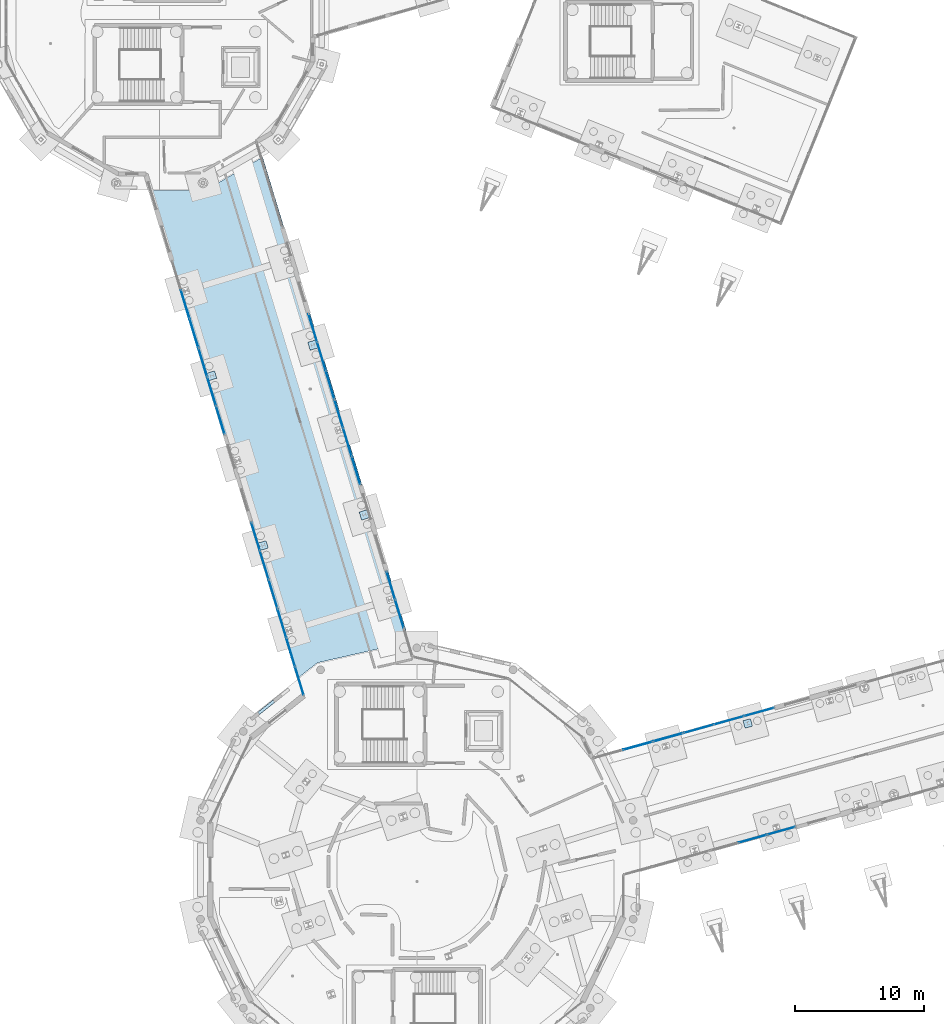
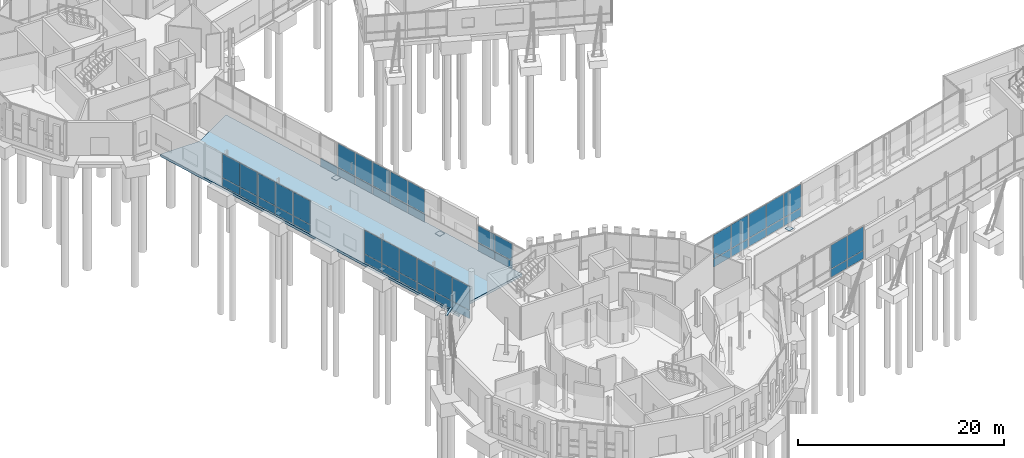
# One storey, part 64 of 113: 57 plates, 1 slab, 10 elements without a shape of their own.
"""IFC4 building model written with IfcOpenShell, lengths in metres."""

from ifc_helpers import new_model, si_unit, direction, frame, origin, origin_2d, place, context, subcontext, project, spatial, polyline, rectangle, outline, extrude, material, layer, layer_set, type_object, element, aggregate, save


model = new_model("IFC4")

# Units and contexts
model_context = context("Model", 3, precision=1e-05, world=origin(), true_north=direction((0.0, 1.0)))
body_context = subcontext(model_context, "Body", "Model", "MODEL_VIEW")
ifc_project = project(units=[si_unit("LENGTHUNIT", "METRE"), si_unit("AREAUNIT", "SQUARE_METRE"), si_unit("VOLUMEUNIT", "CUBIC_METRE"), si_unit("PLANEANGLEUNIT", "RADIAN"), si_unit("MASSUNIT", "GRAM", prefix="KILO")], contexts=[model_context])

# Site, building, storey
site_placement = place(None, origin())
site = spatial("IfcSite", under=ifc_project, at=site_placement, CompositionType="ELEMENT")
building_placement = place(site_placement, origin())
building = spatial("IfcBuilding", under=site, at=building_placement, Name="Wrenclough Park School", CompositionType="ELEMENT")
storey_placement = place(building_placement, origin())
storey = spatial("IfcBuildingStorey", under=building, at=storey_placement, Name="L00", CompositionType="ELEMENT", Elevation=0.0)

# Curtain wall, plates
ifc_material_1 = material(Name="Thermally broken aluminium and low-e glass curtain wall", Category="aluminium")
curtain_wall_type_1 = type_object("IfcCurtainWallType", Name="ENV-CW-05", PredefinedType="USERDEFINED", material=ifc_material_1)
curtain_wall_1_placement = place(storey_placement, origin())
curtain_wall_1 = element("IfcCurtainWall", 1, at=curtain_wall_1_placement, inside=storey, type_object=curtain_wall_type_1, Name="L00 recessed curtain wall assembly 004", ObjectType="CURTAIN WALL", PredefinedType="USERDEFINED")
ifc_material_2 = material(Name="Double-glazed solar-control low-e glass", Category="glass")
ifc_layer_1 = layer(ifc_material_2, 0.02587890625)
ifc_layer_set_1 = layer_set([ifc_layer_1], Name="Double-glazed solar-control low-e glass")
plate_type_1 = type_object("IfcPlateType", Name="ENV-CWP-GL26", PredefinedType="CURTAIN_PANEL", material=ifc_layer_set_1)
plate_1_placement = place(storey_placement, frame((25.320556640625, 44.9443359375, 0.06494140625), z_axis=(0.0, 0.0, 1.0), x_axis=(-0.290001100386, 0.957026311955, 0.0)))
plate_1 = element("IfcPlate", 2, at=plate_1_placement, type_object=plate_type_1, Name="CW-05 panel 1.1", PredefinedType="CURTAIN_PANEL", context=body_context, shape_type="SweptSolid", body=[
    extrude(rectangle(XDim=2.25390625, YDim=0.02587890625, at=origin_2d()), origin(), (0.0, 0.0, 1.0), 0.952392578125),
])
plate_2_placement = place(storey_placement, frame((25.320556640625, 44.9443359375, 1.08251953125), z_axis=(0.0, 0.0, 1.0), x_axis=(-0.290001100386, 0.957026311955, 0.0)))
plate_2 = element("IfcPlate", 3, at=plate_2_placement, type_object=plate_type_1, Name="CW-05 panel 1.2", PredefinedType="CURTAIN_PANEL", context=body_context, shape_type="SweptSolid", body=[
    extrude(rectangle(XDim=2.25390625, YDim=0.02587890625, at=origin_2d()), origin(), (0.0, 0.0, 1.0), 2.79248046875),
])
plate_3_placement = place(storey_placement, frame((24.643310546875, 47.17919921875, 0.06494140625), z_axis=(0.0, 0.0, 1.0), x_axis=(-0.290001100386, 0.957026311955, 0.0)))
plate_3 = element("IfcPlate", 4, at=plate_3_placement, type_object=plate_type_1, Name="CW-05 panel 2.1", PredefinedType="CURTAIN_PANEL", context=body_context, shape_type="SweptSolid", body=[
    extrude(rectangle(XDim=2.286376953125, YDim=0.02587890625, at=origin_2d()), origin(), (0.0, 0.0, 1.0), 0.952392578125),
])
plate_4_placement = place(storey_placement, frame((24.643310546875, 47.17919921875, 1.08251953125), z_axis=(0.0, 0.0, 1.0), x_axis=(-0.290001100386, 0.957026311955, 0.0)))
plate_4 = element("IfcPlate", 5, at=plate_4_placement, type_object=plate_type_1, Name="CW-05 panel 2.2", PredefinedType="CURTAIN_PANEL", context=body_context, shape_type="SweptSolid", body=[
    extrude(rectangle(XDim=2.286376953125, YDim=0.02587890625, at=origin_2d()), origin(), (0.0, 0.0, 1.0), 2.79248046875),
])
plate_5_placement = place(storey_placement, frame((23.966064453125, 49.4140625, 0.06494140625), z_axis=(0.0, 0.0, 1.0), x_axis=(-0.290001100386, 0.957026311955, 0.0)))
plate_5 = element("IfcPlate", 6, at=plate_5_placement, type_object=plate_type_1, Name="CW-05 panel 3.1", PredefinedType="CURTAIN_PANEL", context=body_context, shape_type="SweptSolid", body=[
    extrude(rectangle(XDim=2.25390625, YDim=0.02587890625, at=origin_2d()), origin(), (0.0, 0.0, 1.0), 0.952392578125),
])
plate_6_placement = place(storey_placement, frame((23.966064453125, 49.4140625, 1.08251953125), z_axis=(0.0, 0.0, 1.0), x_axis=(-0.290001100386, 0.957026311955, 0.0)))
plate_6 = element("IfcPlate", 7, at=plate_6_placement, type_object=plate_type_1, Name="CW-05 panel 3.2", PredefinedType="CURTAIN_PANEL", context=body_context, shape_type="SweptSolid", body=[
    extrude(rectangle(XDim=2.25390625, YDim=0.02587890625, at=origin_2d()), origin(), (0.0, 0.0, 1.0), 2.79248046875),
])
aggregate(curtain_wall_1, [plate_1, plate_2, plate_3, plate_4, plate_5, plate_6])

curtain_wall_type_2 = type_object("IfcCurtainWallType", Name="ENV-CW-01", PredefinedType="USERDEFINED", material=ifc_material_1)
curtain_wall_2_placement = place(storey_placement, origin())
curtain_wall_2 = element("IfcCurtainWall", 8, at=curtain_wall_2_placement, inside=storey, type_object=curtain_wall_type_2, Name="L00 recessed curtain wall assembly 048", ObjectType="CURTAIN WALL", PredefinedType="USERDEFINED")
plate_7_placement = place(storey_placement, frame((58.423828125, 34.458251953125, 0.06005859375), z_axis=(0.0, 0.0, 1.0), x_axis=(0.963396230426, 0.268081523423, 0.0)))
plate_7 = element("IfcPlate", 9, at=plate_7_placement, type_object=plate_type_1, Name="CW-01 panel 1.1", PredefinedType="CURTAIN_PANEL", context=body_context, shape_type="SweptSolid", body=[
    extrude(rectangle(XDim=2.353271484375, YDim=0.02587890625, at=origin_2d()), origin(), (0.0, 0.0, 1.0), 0.9599609375),
])
plate_8_placement = place(storey_placement, frame((58.423828125, 34.458251953125, 1.080078125), z_axis=(0.0, 0.0, 1.0), x_axis=(0.963396230426, 0.268081523423, 0.0)))
plate_8 = element("IfcPlate", 10, at=plate_8_placement, type_object=plate_type_1, Name="CW-01 panel 1.2", PredefinedType="CURTAIN_PANEL", context=body_context, shape_type="SweptSolid", body=[
    extrude(rectangle(XDim=2.353271484375, YDim=0.02587890625, at=origin_2d()), origin(), (0.0, 0.0, 1.0), 2.800048828125),
])
plate_9_placement = place(storey_placement, frame((60.76318359375, 35.109130859375, 0.06005859375), z_axis=(0.0, 0.0, 1.0), x_axis=(0.963396230426, 0.268081523423, 0.0)))
plate_9 = element("IfcPlate", 11, at=plate_9_placement, type_object=plate_type_1, Name="CW-01 panel 2.1", PredefinedType="CURTAIN_PANEL", context=body_context, shape_type="SweptSolid", body=[
    extrude(rectangle(XDim=2.383056640625, YDim=0.02587890625, at=origin_2d()), origin(), (0.0, 0.0, 1.0), 0.9599609375),
])
plate_10_placement = place(storey_placement, frame((60.76318359375, 35.109130859375, 1.080078125), z_axis=(0.0, 0.0, 1.0), x_axis=(0.963396230426, 0.268081523423, 0.0)))
plate_10 = element("IfcPlate", 12, at=plate_10_placement, type_object=plate_type_1, Name="CW-01 panel 2.2", PredefinedType="CURTAIN_PANEL", context=body_context, shape_type="SweptSolid", body=[
    extrude(rectangle(XDim=2.383056640625, YDim=0.02587890625, at=origin_2d()), origin(), (0.0, 0.0, 1.0), 2.800048828125),
])
plate_11_placement = place(storey_placement, frame((63.102294921875, 35.76025390625, 0.06005859375), z_axis=(0.0, 0.0, 1.0), x_axis=(0.963396230426, 0.268081523423, 0.0)))
plate_11 = element("IfcPlate", 13, at=plate_11_placement, type_object=plate_type_1, Name="CW-01 panel 3.1", PredefinedType="CURTAIN_PANEL", context=body_context, shape_type="SweptSolid", body=[
    extrude(rectangle(XDim=2.353271484375, YDim=0.02587890625, at=origin_2d()), origin(), (0.0, 0.0, 1.0), 0.9599609375),
])
plate_12_placement = place(storey_placement, frame((63.102294921875, 35.76025390625, 1.080078125), z_axis=(0.0, 0.0, 1.0), x_axis=(0.963396230426, 0.268081523423, 0.0)))
plate_12 = element("IfcPlate", 14, at=plate_12_placement, type_object=plate_type_1, Name="CW-01 panel 3.2", PredefinedType="CURTAIN_PANEL", context=body_context, shape_type="SweptSolid", body=[
    extrude(rectangle(XDim=2.353271484375, YDim=0.02587890625, at=origin_2d()), origin(), (0.0, 0.0, 1.0), 2.800048828125),
])
aggregate(curtain_wall_2, [plate_7, plate_8, plate_9, plate_10, plate_11, plate_12])

curtain_wall_type_3 = type_object("IfcCurtainWallType", Name="ENV-CW-10", PredefinedType="USERDEFINED", material=ifc_material_1)
curtain_wall_3_placement = place(storey_placement, origin())
curtain_wall_3 = element("IfcCurtainWall", 15, at=curtain_wall_3_placement, inside=storey, type_object=curtain_wall_type_3, Name="L00 recessed curtain wall assembly 041", ObjectType="CURTAIN WALL", PredefinedType="USERDEFINED")
ifc_material_3 = material(Name="Double-glazed acoustic low-e glass", Category="glass")
ifc_layer_2 = layer(ifc_material_3, 0.030029296875)
ifc_layer_set_2 = layer_set([ifc_layer_2], Name="Double-glazed acoustic low-e glass")
plate_type_2 = type_object("IfcPlateType", Name="ENV-CWP-GL30", PredefinedType="CURTAIN_PANEL", material=ifc_layer_set_2)
plate_13_placement = place(storey_placement, frame((64.819580078125, 26.5224609375, 0.06982421875), z_axis=(0.0, 0.0, 1.0), x_axis=(-0.963399766486, -0.268068815671, 0.0)))
plate_13 = element("IfcPlate", 16, at=plate_13_placement, type_object=plate_type_2, Name="CW-10 panel 1.1", PredefinedType="CURTAIN_PANEL", context=body_context, shape_type="SweptSolid", body=[
    extrude(rectangle(XDim=2.208984375, YDim=0.030029296875, at=origin_2d()), origin(), (0.0, 0.0, 1.0), 0.945068359375),
])
plate_14_placement = place(storey_placement, frame((64.819580078125, 26.5224609375, 1.0849609375), z_axis=(0.0, 0.0, 1.0), x_axis=(-0.963399766486, -0.268068815671, 0.0)))
plate_14 = element("IfcPlate", 17, at=plate_14_placement, type_object=plate_type_2, Name="CW-10 panel 1.2", PredefinedType="CURTAIN_PANEL", context=body_context, shape_type="SweptSolid", body=[
    extrude(rectangle(XDim=2.208984375, YDim=0.030029296875, at=origin_2d()), origin(), (0.0, 0.0, 1.0), 2.784912109375),
])
plate_15_placement = place(storey_placement, frame((62.607177734375, 25.90673828125, 0.06982421875), z_axis=(0.0, 0.0, 1.0), x_axis=(-0.963399766486, -0.268068815671, 0.0)))
plate_15 = element("IfcPlate", 18, at=plate_15_placement, type_object=plate_type_2, Name="CW-10 panel 2.1", PredefinedType="CURTAIN_PANEL", context=body_context, shape_type="SweptSolid", body=[
    extrude(rectangle(XDim=2.243896484375, YDim=0.030029296875, at=origin_2d()), origin(), (0.0, 0.0, 1.0), 0.945068359375),
])
plate_16_placement = place(storey_placement, frame((62.607177734375, 25.90673828125, 1.0849609375), z_axis=(0.0, 0.0, 1.0), x_axis=(-0.963399766486, -0.268068815671, 0.0)))
plate_16 = element("IfcPlate", 19, at=plate_16_placement, type_object=plate_type_2, Name="CW-10 panel 2.2", PredefinedType="CURTAIN_PANEL", context=body_context, shape_type="SweptSolid", body=[
    extrude(rectangle(XDim=2.243896484375, YDim=0.030029296875, at=origin_2d()), origin(), (0.0, 0.0, 1.0), 2.784912109375),
])
aggregate(curtain_wall_3, [plate_13, plate_14, plate_15, plate_16])

curtain_wall_type_4 = type_object("IfcCurtainWallType", Name="ENV-CW-02", PredefinedType="USERDEFINED", material=ifc_material_1)
curtain_wall_4_placement = place(storey_placement, origin())
curtain_wall_4 = element("IfcCurtainWall", 20, at=curtain_wall_4_placement, inside=storey, type_object=curtain_wall_type_4, Name="L00 recessed curtain wall assembly 081", ObjectType="CURTAIN WALL", PredefinedType="USERDEFINED")
plate_17_placement = place(storey_placement, frame((28.417236328125, 65.62158203125, 0.06005859375), z_axis=(0.0, 0.0, 1.0), x_axis=(0.289988669528, -0.957030078705, 0.0)))
plate_17 = element("IfcPlate", 21, at=plate_17_placement, type_object=plate_type_2, Name="CW-02 panel 1.1", PredefinedType="CURTAIN_PANEL", context=body_context, shape_type="SweptSolid", body=[
    extrude(rectangle(XDim=2.23193359375, YDim=0.030029296875, at=origin_2d()), origin(), (0.0, 0.0, 1.0), 0.9599609375),
])
plate_18_placement = place(storey_placement, frame((29.086181640625, 63.413818359375, 0.06005859375), z_axis=(0.0, 0.0, 1.0), x_axis=(0.289988669528, -0.957030078705, 0.0)))
plate_18 = element("IfcPlate", 22, at=plate_18_placement, type_object=plate_type_2, Name="CW-02 panel 2.1", PredefinedType="CURTAIN_PANEL", context=body_context, shape_type="SweptSolid", body=[
    extrude(rectangle(XDim=2.261962890625, YDim=0.030029296875, at=origin_2d()), origin(), (0.0, 0.0, 1.0), 0.9599609375),
])
plate_19_placement = place(storey_placement, frame((29.086181640625, 63.413818359375, 1.080078125), z_axis=(0.0, 0.0, 1.0), x_axis=(0.289988669528, -0.957030078705, 0.0)))
plate_19 = element("IfcPlate", 23, at=plate_19_placement, type_object=plate_type_2, Name="CW-02 panel 2.2", PredefinedType="CURTAIN_PANEL", context=body_context, shape_type="SweptSolid", body=[
    extrude(rectangle(XDim=2.261962890625, YDim=0.030029296875, at=origin_2d()), origin(), (0.0, 0.0, 1.0), 2.800048828125),
])
plate_20_placement = place(storey_placement, frame((29.755126953125, 61.205810546875, 0.06005859375), z_axis=(0.0, 0.0, 1.0), x_axis=(0.289988669528, -0.957030078705, 0.0)))
plate_20 = element("IfcPlate", 24, at=plate_20_placement, type_object=plate_type_2, Name="CW-02 panel 3.1", PredefinedType="CURTAIN_PANEL", context=body_context, shape_type="SweptSolid", body=[
    extrude(rectangle(XDim=2.23193359375, YDim=0.030029296875, at=origin_2d()), origin(), (0.0, 0.0, 1.0), 0.9599609375),
])
plate_21_placement = place(storey_placement, frame((29.755126953125, 61.205810546875, 1.080078125), z_axis=(0.0, 0.0, 1.0), x_axis=(0.289988669528, -0.957030078705, 0.0)))
plate_21 = element("IfcPlate", 25, at=plate_21_placement, type_object=plate_type_2, Name="CW-02 panel 3.2", PredefinedType="CURTAIN_PANEL", context=body_context, shape_type="SweptSolid", body=[
    extrude(rectangle(XDim=2.23193359375, YDim=0.030029296875, at=origin_2d()), origin(), (0.0, 0.0, 1.0), 2.800048828125),
])
aggregate(curtain_wall_4, [plate_17, plate_18, plate_19, plate_20, plate_21])

curtain_wall_type_5 = type_object("IfcCurtainWallType", Name="ENV-CW-03", PredefinedType="USERDEFINED", material=ifc_material_1)
curtain_wall_5_placement = place(storey_placement, origin())
curtain_wall_5 = element("IfcCurtainWall", 26, at=curtain_wall_5_placement, inside=storey, type_object=curtain_wall_type_5, Name="L00 recessed curtain wall assembly 082", ObjectType="CURTAIN WALL", PredefinedType="USERDEFINED")
ifc_material_4 = material(Name="Triple-glazed senior-lab low-e glass", Category="glass")
ifc_layer_3 = layer(ifc_material_4, 0.033935546875)
ifc_layer_set_3 = layer_set([ifc_layer_3], Name="Triple-glazed senior-lab low-e glass")
plate_type_3 = type_object("IfcPlateType", Name="ENV-CWP-GL34", PredefinedType="CURTAIN_PANEL", material=ifc_layer_set_3)
plate_22_placement = place(storey_placement, frame((30.43994140625, 58.946044921875, 0.06494140625), z_axis=(0.0, 0.0, 1.0), x_axis=(0.289992653536, -0.957028871506, 0.0)))
plate_22 = element("IfcPlate", 27, at=plate_22_placement, type_object=plate_type_3, Name="CW-03 panel 1.1", PredefinedType="CURTAIN_PANEL", context=body_context, shape_type="SweptSolid", body=[
    extrude(rectangle(XDim=2.224609375, YDim=0.033935546875, at=origin_2d()), origin(), (0.0, 0.0, 1.0), 0.952392578125),
])
plate_23_placement = place(storey_placement, frame((30.43994140625, 58.946044921875, 1.08251953125), z_axis=(0.0, 0.0, 1.0), x_axis=(0.289992653536, -0.957028871506, 0.0)))
plate_23 = element("IfcPlate", 28, at=plate_23_placement, type_object=plate_type_3, Name="CW-03 panel 1.2", PredefinedType="CURTAIN_PANEL", context=body_context, shape_type="SweptSolid", body=[
    extrude(rectangle(XDim=2.224609375, YDim=0.033935546875, at=origin_2d()), origin(), (0.0, 0.0, 1.0), 2.79248046875),
])
plate_24_placement = place(storey_placement, frame((31.108642578125, 56.7392578125, 0.06494140625), z_axis=(0.0, 0.0, 1.0), x_axis=(0.289992653536, -0.957028871506, 0.0)))
plate_24 = element("IfcPlate", 29, at=plate_24_placement, type_object=plate_type_3, Name="CW-03 panel 2.1", PredefinedType="CURTAIN_PANEL", context=body_context, shape_type="SweptSolid", body=[
    extrude(rectangle(XDim=2.257080078125, YDim=0.033935546875, at=origin_2d()), origin(), (0.0, 0.0, 1.0), 0.952392578125),
])
plate_25_placement = place(storey_placement, frame((31.108642578125, 56.7392578125, 1.08251953125), z_axis=(0.0, 0.0, 1.0), x_axis=(0.289992653536, -0.957028871506, 0.0)))
plate_25 = element("IfcPlate", 30, at=plate_25_placement, type_object=plate_type_3, Name="CW-03 panel 2.2", PredefinedType="CURTAIN_PANEL", context=body_context, shape_type="SweptSolid", body=[
    extrude(rectangle(XDim=2.257080078125, YDim=0.033935546875, at=origin_2d()), origin(), (0.0, 0.0, 1.0), 2.79248046875),
])
plate_26_placement = place(storey_placement, frame((31.77734375, 54.53271484375, 0.06494140625), z_axis=(0.0, 0.0, 1.0), x_axis=(0.289992653536, -0.957028871506, 0.0)))
plate_26 = element("IfcPlate", 31, at=plate_26_placement, type_object=plate_type_3, Name="CW-03 panel 3.1", PredefinedType="CURTAIN_PANEL", context=body_context, shape_type="SweptSolid", body=[
    extrude(rectangle(XDim=2.224609375, YDim=0.033935546875, at=origin_2d()), origin(), (0.0, 0.0, 1.0), 0.952392578125),
])
plate_27_placement = place(storey_placement, frame((31.77734375, 54.53271484375, 1.08251953125), z_axis=(0.0, 0.0, 1.0), x_axis=(0.289992653536, -0.957028871506, 0.0)))
plate_27 = element("IfcPlate", 32, at=plate_27_placement, type_object=plate_type_3, Name="CW-03 panel 3.2", PredefinedType="CURTAIN_PANEL", context=body_context, shape_type="SweptSolid", body=[
    extrude(rectangle(XDim=2.224609375, YDim=0.033935546875, at=origin_2d()), origin(), (0.0, 0.0, 1.0), 2.79248046875),
])
aggregate(curtain_wall_5, [plate_22, plate_23, plate_24, plate_25, plate_26, plate_27])

curtain_wall_type_6 = type_object("IfcCurtainWallType", Name="ENV-CW-04", PredefinedType="USERDEFINED", material=ifc_material_1)
curtain_wall_6_placement = place(storey_placement, origin())
curtain_wall_6 = element("IfcCurtainWall", 33, at=curtain_wall_6_placement, inside=storey, type_object=curtain_wall_type_6, Name="L00 recessed curtain wall assembly 003", ObjectType="CURTAIN WALL", PredefinedType="USERDEFINED")
ifc_material_5 = material(Name="Laminated sports-concourse safety glass", Category="glass")
ifc_layer_4 = layer(ifc_material_5, 0.0380859375)
ifc_layer_set_4 = layer_set([ifc_layer_4], Name="Laminated sports-concourse safety glass")
plate_type_4 = type_object("IfcPlateType", Name="ENV-CWP-GL38", PredefinedType="CURTAIN_PANEL", material=ifc_layer_set_4)
plate_28_placement = place(storey_placement, frame((27.368896484375, 38.184326171875, 0.06005859375), z_axis=(0.0, 0.0, 1.0), x_axis=(-0.289988117032, 0.957030246116, 0.0)))
plate_28 = element("IfcPlate", 34, at=plate_28_placement, type_object=plate_type_4, Name="CW-04 panel 1.1", PredefinedType="CURTAIN_PANEL", context=body_context, shape_type="SweptSolid", body=[
    extrude(rectangle(XDim=2.261474609375, YDim=0.0380859375, at=origin_2d()), origin(), (0.0, 0.0, 1.0), 0.9599609375),
])
plate_29_placement = place(storey_placement, frame((27.368896484375, 38.184326171875, 1.080078125), z_axis=(0.0, 0.0, 1.0), x_axis=(-0.289988117032, 0.957030246116, 0.0)))
plate_29 = element("IfcPlate", 35, at=plate_29_placement, type_object=plate_type_4, Name="CW-04 panel 1.2", PredefinedType="CURTAIN_PANEL", context=body_context, shape_type="SweptSolid", body=[
    extrude(rectangle(XDim=2.261474609375, YDim=0.0380859375, at=origin_2d()), origin(), (0.0, 0.0, 1.0), 2.800048828125),
])
plate_30_placement = place(storey_placement, frame((26.69140625, 40.42041015625, 0.06005859375), z_axis=(0.0, 0.0, 1.0), x_axis=(-0.289988117032, 0.957030246116, 0.0)))
plate_30 = element("IfcPlate", 36, at=plate_30_placement, type_object=plate_type_4, Name="CW-04 panel 2.1", PredefinedType="CURTAIN_PANEL", context=body_context, shape_type="SweptSolid", body=[
    extrude(rectangle(XDim=2.29150390625, YDim=0.0380859375, at=origin_2d()), origin(), (0.0, 0.0, 1.0), 0.9599609375),
])
plate_31_placement = place(storey_placement, frame((26.69140625, 40.42041015625, 1.080078125), z_axis=(0.0, 0.0, 1.0), x_axis=(-0.289988117032, 0.957030246116, 0.0)))
plate_31 = element("IfcPlate", 37, at=plate_31_placement, type_object=plate_type_4, Name="CW-04 panel 2.2", PredefinedType="CURTAIN_PANEL", context=body_context, shape_type="SweptSolid", body=[
    extrude(rectangle(XDim=2.29150390625, YDim=0.0380859375, at=origin_2d()), origin(), (0.0, 0.0, 1.0), 2.800048828125),
])
plate_32_placement = place(storey_placement, frame((26.013916015625, 42.656494140625, 0.06005859375), z_axis=(0.0, 0.0, 1.0), x_axis=(-0.289988117032, 0.957030246116, 0.0)))
plate_32 = element("IfcPlate", 38, at=plate_32_placement, type_object=plate_type_4, Name="CW-04 panel 3.1", PredefinedType="CURTAIN_PANEL", context=body_context, shape_type="SweptSolid", body=[
    extrude(rectangle(XDim=2.261474609375, YDim=0.0380859375, at=origin_2d()), origin(), (0.0, 0.0, 1.0), 0.9599609375),
])
plate_33_placement = place(storey_placement, frame((26.013916015625, 42.656494140625, 1.080078125), z_axis=(0.0, 0.0, 1.0), x_axis=(-0.289988117032, 0.957030246116, 0.0)))
plate_33 = element("IfcPlate", 39, at=plate_33_placement, type_object=plate_type_4, Name="CW-04 panel 3.2", PredefinedType="CURTAIN_PANEL", context=body_context, shape_type="SweptSolid", body=[
    extrude(rectangle(XDim=2.261474609375, YDim=0.0380859375, at=origin_2d()), origin(), (0.0, 0.0, 1.0), 2.800048828125),
])
aggregate(curtain_wall_6, [plate_28, plate_29, plate_30, plate_31, plate_32, plate_33])

curtain_wall_7_placement = place(storey_placement, origin())
curtain_wall_7 = element("IfcCurtainWall", 40, at=curtain_wall_7_placement, inside=storey, type_object=curtain_wall_type_6, Name="L00 recessed curtain wall assembly 083", ObjectType="CURTAIN WALL", PredefinedType="USERDEFINED")
plate_34_placement = place(storey_placement, frame((34.4853515625, 45.59619140625, 0.06982421875), z_axis=(0.0, 0.0, 1.0), x_axis=(0.289988669528, -0.957030078705, 0.0)))
plate_34 = element("IfcPlate", 41, at=plate_34_placement, type_object=plate_type_4, Name="CW-04 panel 1.1", PredefinedType="CURTAIN_PANEL", context=body_context, shape_type="SweptSolid", body=[
    extrude(rectangle(XDim=2.217041015625, YDim=0.0380859375, at=origin_2d()), origin(), (0.0, 0.0, 1.0), 0.945068359375),
])
plate_35_placement = place(storey_placement, frame((34.4853515625, 45.59619140625, 1.0849609375), z_axis=(0.0, 0.0, 1.0), x_axis=(0.289988669528, -0.957030078705, 0.0)))
plate_35 = element("IfcPlate", 42, at=plate_35_placement, type_object=plate_type_4, Name="CW-04 panel 1.2", PredefinedType="CURTAIN_PANEL", context=body_context, shape_type="SweptSolid", body=[
    extrude(rectangle(XDim=2.217041015625, YDim=0.0380859375, at=origin_2d()), origin(), (0.0, 0.0, 1.0), 1.97705078125),
])
plate_36_placement = place(storey_placement, frame((35.15380859375, 43.390625, 0.06982421875), z_axis=(0.0, 0.0, 1.0), x_axis=(0.289988669528, -0.957030078705, 0.0)))
plate_36 = element("IfcPlate", 43, at=plate_36_placement, type_object=plate_type_4, Name="CW-04 panel 2.1", PredefinedType="CURTAIN_PANEL", context=body_context, shape_type="SweptSolid", body=[
    extrude(rectangle(XDim=2.251953125, YDim=0.0380859375, at=origin_2d()), origin(), (0.0, 0.0, 1.0), 0.945068359375),
])
plate_37_placement = place(storey_placement, frame((35.15380859375, 43.390625, 1.0849609375), z_axis=(0.0, 0.0, 1.0), x_axis=(0.289988669528, -0.957030078705, 0.0)))
plate_37 = element("IfcPlate", 44, at=plate_37_placement, type_object=plate_type_4, Name="CW-04 panel 2.2", PredefinedType="CURTAIN_PANEL", context=body_context, shape_type="SweptSolid", body=[
    extrude(rectangle(XDim=2.251953125, YDim=0.0380859375, at=origin_2d()), origin(), (0.0, 0.0, 1.0), 1.97705078125),
])
aggregate(curtain_wall_7, [plate_34, plate_35, plate_36, plate_37])

curtain_wall_type_7 = type_object("IfcCurtainWallType", Name="ENV-CW-06", PredefinedType="USERDEFINED", material=ifc_material_1)
curtain_wall_8_placement = place(storey_placement, origin())
curtain_wall_8 = element("IfcCurtainWall", 45, at=curtain_wall_8_placement, inside=storey, type_object=curtain_wall_type_7, Name="L00 recessed curtain wall assembly 005", ObjectType="CURTAIN WALL", PredefinedType="USERDEFINED")
ifc_material_6 = material(Name="Insulated anodised aluminium spandrel panel", Category="aluminium")
ifc_layer_5 = layer(ifc_material_6, 0.0419921875)
ifc_layer_set_5 = layer_set([ifc_layer_5], Name="Insulated anodised aluminium spandrel panel")
plate_type_5 = type_object("IfcPlateType", Name="ENV-CWP-SP42", PredefinedType="CURTAIN_PANEL", material=ifc_layer_set_5)
plate_38_placement = place(storey_placement, frame((21.223876953125, 58.46337890625, 0.06982421875), z_axis=(0.0, 0.0, 1.0), x_axis=(-0.289988117032, 0.957030246116, 0.0)))
plate_38 = element("IfcPlate", 46, at=plate_38_placement, type_object=plate_type_5, Name="CW-06 panel 1.1", PredefinedType="CURTAIN_PANEL", context=body_context, shape_type="SweptSolid", body=[
    extrude(rectangle(XDim=2.24658203125, YDim=0.0419921875, at=origin_2d()), origin(), (0.0, 0.0, 1.0), 0.945068359375),
])
plate_39_placement = place(storey_placement, frame((21.223876953125, 58.46337890625, 1.0849609375), z_axis=(0.0, 0.0, 1.0), x_axis=(-0.289988117032, 0.957030246116, 0.0)))
plate_39 = element("IfcPlate", 47, at=plate_39_placement, type_object=plate_type_5, Name="CW-06 panel 1.2", PredefinedType="CURTAIN_PANEL", context=body_context, shape_type="SweptSolid", body=[
    extrude(rectangle(XDim=2.24658203125, YDim=0.0419921875, at=origin_2d()), origin(), (0.0, 0.0, 1.0), 2.784912109375),
])
plate_40_placement = place(storey_placement, frame((20.547119140625, 60.697021484375, 0.06982421875), z_axis=(0.0, 0.0, 1.0), x_axis=(-0.289988117032, 0.957030246116, 0.0)))
plate_40 = element("IfcPlate", 48, at=plate_40_placement, type_object=plate_type_5, Name="CW-06 panel 2.1", PredefinedType="CURTAIN_PANEL", context=body_context, shape_type="SweptSolid", body=[
    extrude(rectangle(XDim=2.281494140625, YDim=0.0419921875, at=origin_2d()), origin(), (0.0, 0.0, 1.0), 0.945068359375),
])
plate_41_placement = place(storey_placement, frame((20.547119140625, 60.697021484375, 1.0849609375), z_axis=(0.0, 0.0, 1.0), x_axis=(-0.289988117032, 0.957030246116, 0.0)))
plate_41 = element("IfcPlate", 49, at=plate_41_placement, type_object=plate_type_5, Name="CW-06 panel 2.2", PredefinedType="CURTAIN_PANEL", context=body_context, shape_type="SweptSolid", body=[
    extrude(rectangle(XDim=2.281494140625, YDim=0.0419921875, at=origin_2d()), origin(), (0.0, 0.0, 1.0), 2.784912109375),
])
plate_42_placement = place(storey_placement, frame((19.8701171875, 62.9306640625, 0.06982421875), z_axis=(0.0, 0.0, 1.0), x_axis=(-0.289988117032, 0.957030246116, 0.0)))
plate_42 = element("IfcPlate", 50, at=plate_42_placement, type_object=plate_type_5, Name="CW-06 panel 3.1", PredefinedType="CURTAIN_PANEL", context=body_context, shape_type="SweptSolid", body=[
    extrude(rectangle(XDim=2.24658203125, YDim=0.0419921875, at=origin_2d()), origin(), (0.0, 0.0, 1.0), 0.945068359375),
])
plate_43_placement = place(storey_placement, frame((19.8701171875, 62.9306640625, 1.0849609375), z_axis=(0.0, 0.0, 1.0), x_axis=(-0.289988117032, 0.957030246116, 0.0)))
plate_43 = element("IfcPlate", 51, at=plate_43_placement, type_object=plate_type_5, Name="CW-06 panel 3.2", PredefinedType="CURTAIN_PANEL", context=body_context, shape_type="SweptSolid", body=[
    extrude(rectangle(XDim=2.24658203125, YDim=0.0419921875, at=origin_2d()), origin(), (0.0, 0.0, 1.0), 2.784912109375),
])
aggregate(curtain_wall_8, [plate_38, plate_39, plate_40, plate_41, plate_42, plate_43])

curtain_wall_type_8 = type_object("IfcCurtainWallType", Name="ENV-CW-07", PredefinedType="USERDEFINED", material=ifc_material_1)
curtain_wall_9_placement = place(storey_placement, origin())
curtain_wall_9 = element("IfcCurtainWall", 52, at=curtain_wall_9_placement, inside=storey, type_object=curtain_wall_type_8, Name="L00 recessed curtain wall assembly 006", ObjectType="CURTAIN WALL", PredefinedType="USERDEFINED")
ifc_material_7 = material(Name="Insulated patinated copper-toned spandrel panel", Category="aluminium")
ifc_layer_6 = layer(ifc_material_7, 0.048095703125)
ifc_layer_set_6 = layer_set([ifc_layer_6], Name="Insulated patinated copper-toned spandrel panel")
plate_type_6 = type_object("IfcPlateType", Name="ENV-CWP-SP48", PredefinedType="CURTAIN_PANEL", material=ifc_layer_set_6)
plate_44_placement = place(storey_placement, frame((19.176513671875, 65.2197265625, 0.06005859375), z_axis=(0.0, 0.0, 1.0), x_axis=(-0.290001100386, 0.957026311955, 0.0)))
plate_44 = element("IfcPlate", 53, at=plate_44_placement, type_object=plate_type_6, Name="CW-07 panel 1.1", PredefinedType="CURTAIN_PANEL", context=body_context, shape_type="SweptSolid", body=[
    extrude(rectangle(XDim=2.261474609375, YDim=0.048095703125, at=origin_2d()), origin(), (0.0, 0.0, 1.0), 0.9599609375),
])
plate_45_placement = place(storey_placement, frame((19.176513671875, 65.2197265625, 1.080078125), z_axis=(0.0, 0.0, 1.0), x_axis=(-0.290001100386, 0.957026311955, 0.0)))
plate_45 = element("IfcPlate", 54, at=plate_45_placement, type_object=plate_type_6, Name="CW-07 panel 1.2", PredefinedType="CURTAIN_PANEL", context=body_context, shape_type="SweptSolid", body=[
    extrude(rectangle(XDim=2.261474609375, YDim=0.048095703125, at=origin_2d()), origin(), (0.0, 0.0, 1.0), 2.800048828125),
])
plate_46_placement = place(storey_placement, frame((18.498779296875, 67.455810546875, 0.06005859375), z_axis=(0.0, 0.0, 1.0), x_axis=(-0.290001100386, 0.957026311955, 0.0)))
plate_46 = element("IfcPlate", 55, at=plate_46_placement, type_object=plate_type_6, Name="CW-07 panel 2.1", PredefinedType="CURTAIN_PANEL", context=body_context, shape_type="SweptSolid", body=[
    extrude(rectangle(XDim=2.29150390625, YDim=0.048095703125, at=origin_2d()), origin(), (0.0, 0.0, 1.0), 0.9599609375),
])
plate_47_placement = place(storey_placement, frame((18.498779296875, 67.455810546875, 1.080078125), z_axis=(0.0, 0.0, 1.0), x_axis=(-0.290001100386, 0.957026311955, 0.0)))
plate_47 = element("IfcPlate", 56, at=plate_47_placement, type_object=plate_type_6, Name="CW-07 panel 2.2", PredefinedType="CURTAIN_PANEL", context=body_context, shape_type="SweptSolid", body=[
    extrude(rectangle(XDim=2.29150390625, YDim=0.048095703125, at=origin_2d()), origin(), (0.0, 0.0, 1.0), 2.800048828125),
])
aggregate(curtain_wall_9, [plate_44, plate_45, plate_46, plate_47])

curtain_wall_type_9 = type_object("IfcCurtainWallType", Name="ENV-CW-16", PredefinedType="USERDEFINED", material=ifc_material_1)
curtain_wall_10_placement = place(storey_placement, origin())
curtain_wall_10 = element("IfcCurtainWall", 57, at=curtain_wall_10_placement, inside=storey, type_object=curtain_wall_type_9, Name="L00 recessed curtain wall assembly 047", ObjectType="CURTAIN WALL", PredefinedType="USERDEFINED")
ifc_material_8 = material(Name="Acoustic mineral-wool spandrel cassette", Category="aluminium")
ifc_layer_7 = layer(ifc_material_8, 0.053955078125)
ifc_layer_set_7 = layer_set([ifc_layer_7], Name="Acoustic mineral-wool spandrel cassette")
plate_type_7 = type_object("IfcPlateType", Name="ENV-CWP-SP54", PredefinedType="CURTAIN_PANEL", material=ifc_layer_set_7)
plate_48_placement = place(storey_placement, frame((53.694091796875, 33.14208984375, 0.06982421875), z_axis=(0.0, 0.0, 1.0), x_axis=(0.963398773592, 0.268072383958, 0.0)))
plate_48 = element("IfcPlate", 58, at=plate_48_placement, type_object=plate_type_7, Name="CW-16 panel 2.1", PredefinedType="CURTAIN_PANEL", context=body_context, shape_type="SweptSolid", body=[
    extrude(rectangle(XDim=2.373046875, YDim=0.053955078125, at=origin_2d()), origin(), (0.0, 0.0, 1.0), 0.945068359375),
])
plate_49_placement = place(storey_placement, frame((53.694091796875, 33.14208984375, 1.0849609375), z_axis=(0.0, 0.0, 1.0), x_axis=(0.963398773592, 0.268072383958, 0.0)))
plate_49 = element("IfcPlate", 59, at=plate_49_placement, type_object=plate_type_7, Name="CW-16 panel 2.2", PredefinedType="CURTAIN_PANEL", context=body_context, shape_type="SweptSolid", body=[
    extrude(rectangle(XDim=2.373046875, YDim=0.053955078125, at=origin_2d()), origin(), (0.0, 0.0, 1.0), 2.784912109375),
])
plate_50_placement = place(storey_placement, frame((56.031005859375, 33.79248046875, 0.06982421875), z_axis=(0.0, 0.0, 1.0), x_axis=(0.963398773592, 0.268072383958, 0.0)))
plate_50 = element("IfcPlate", 60, at=plate_50_placement, type_object=plate_type_7, Name="CW-16 panel 3.1", PredefinedType="CURTAIN_PANEL", context=body_context, shape_type="SweptSolid", body=[
    extrude(rectangle(XDim=2.338134765625, YDim=0.053955078125, at=origin_2d()), origin(), (0.0, 0.0, 1.0), 0.945068359375),
])
plate_51_placement = place(storey_placement, frame((56.031005859375, 33.79248046875, 1.0849609375), z_axis=(0.0, 0.0, 1.0), x_axis=(0.963398773592, 0.268072383958, 0.0)))
plate_51 = element("IfcPlate", 61, at=plate_51_placement, type_object=plate_type_7, Name="CW-16 panel 3.2", PredefinedType="CURTAIN_PANEL", context=body_context, shape_type="SweptSolid", body=[
    extrude(rectangle(XDim=2.338134765625, YDim=0.053955078125, at=origin_2d()), origin(), (0.0, 0.0, 1.0), 2.784912109375),
])
aggregate(curtain_wall_10, [plate_48, plate_49, plate_50, plate_51])

# Plates
ifc_material_9 = material(Name="Anodised architectural aluminium solar shading fin plate", Category="aluminium")
ifc_layer_8 = layer(ifc_material_9, 0.0380859375)
ifc_layer_set_8 = layer_set([ifc_layer_8], Name="Anodised architectural aluminium solar shading fin plate")
plate_type_8 = type_object("IfcPlateType", Name="ENV-PL-BSF", PredefinedType="SHEET", material=ifc_layer_set_8)
plate_52_placement = place(storey_placement, frame((24.794921875, 36.131591796875, 2.4951171875), z_axis=(0.0, 0.0, 1.0), x_axis=(-0.781833401174, -0.623487395869, 0.0)))
element("IfcPlate", 62, at=plate_52_placement, inside=storey, type_object=plate_type_8, Name="D2 L00 open-bond brick screen tie band 0047", PredefinedType="SHEET", context=body_context, shape_type="SweptSolid", body=[
    extrude(rectangle(XDim=1.5380859375, YDim=0.219970703125, at=origin_2d()), origin(), (0.0, 0.0, 1.0), 0.0419921875),
])
ifc_material_10 = material(Name="Structural steel S355", Category="steel")
ifc_layer_9 = layer(ifc_material_10, 0.031982421875)
ifc_layer_set_9 = layer_set([ifc_layer_9], Name="Structural steel S355")
plate_type_9 = type_object("IfcPlateType", Name="STR-PL-BP1", PredefinedType="SHEET", material=ifc_layer_set_9)
for number, where, z_axis, x_axis, name in (
    (63, (32.423828125, 51.089111328125, 0.0), (0.0, 0.0, 1.0), (-0.290034140915, 0.957016299288, 0.0), "Steel column baseplate W23-C1-R04"),
    (64, (28.423828125, 64.2890625, 0.0), (0.0, 0.0, 1.0), (-0.290034140915, 0.957016299288, 0.0), "Steel column baseplate W23-C1-R06"),
):
    element("IfcPlate", number, at=place(storey_placement, frame(where, z_axis=z_axis, x_axis=x_axis)), inside=storey, type_object=plate_type_9, Name=name, PredefinedType="SHEET", context=body_context, shape_type="SweptSolid", body=[
        extrude(rectangle(XDim=0.64990234375, YDim=0.64990234375, at=origin_2d()), origin(), (0.0, 0.0, 1.0), 0.031982421875),
    ])
ifc_layer_10 = layer(ifc_material_10, 0.030029296875)
ifc_layer_set_10 = layer_set([ifc_layer_10], Name="Structural steel S355")
plate_type_10 = type_object("IfcPlateType", Name="STR-PL-BP4", PredefinedType="SHEET", material=ifc_layer_set_10)
for number, where, z_axis, x_axis, name in (
    (65, (62.228515625, 34.875, 0.0), (0.0, 0.0, 1.0), (0.964002648928, 0.265892634084, 0.0), "Steel column baseplate EAVE-ENTRANCE-B2"),
    (66, (24.576171875, 48.7109375, 0.0), (0.0, 0.0, 1.0), (-0.290034140915, 0.957016299288, 0.0), "Steel column baseplate W23-C1-L04"),
    (67, (20.576171875, 61.910888671875, 0.0), (0.0, 0.0, 1.0), (-0.290034140915, 0.957016299288, 0.0), "Steel column baseplate W23-C1-L06"),
):
    element("IfcPlate", number, at=place(storey_placement, frame(where, z_axis=z_axis, x_axis=x_axis)), inside=storey, type_object=plate_type_10, Name=name, PredefinedType="SHEET", context=body_context, shape_type="SweptSolid", body=[
        extrude(rectangle(XDim=0.60009765625, YDim=0.60009765625, at=origin_2d()), origin(), (0.0, 0.0, 1.0), 0.030029296875),
    ])

# Slab
ifc_material_11 = material(Name="Concrete C35/45", Category="concrete")
ifc_layer_11 = layer(ifc_material_11, 0.300048828125)
ifc_layer_set_11 = layer_set([ifc_layer_11], Name="Concrete C35/45")
slab_type = type_object("IfcSlabType", Name="STR-SL-BASE300", PredefinedType="BASESLAB", material=ifc_layer_set_11)
slab_placement = place(storey_placement, frame((0.0, 0.0, -0.300048828125)))
element("IfcSlab", 68, at=slab_placement, inside=storey, type_object=slab_type, Name="W23 L00 structural slab SLAB-W23-L00", PredefinedType="BASESLAB", context=body_context, shape_type="SweptSolid", body=[
    extrude(outline(polyline([(35.93603515625, 41.22265625), (24.517822265625, 78.902587890625), (20.035400390625, 76.31591796875), (15.689453125, 76.3134765625), (27.1962890625, 38.3408203125), (28.761474609375, 39.5849609375), (35.93603515625, 41.22265625)])), origin(), (0.0, 0.0, 1.0), 0.300048828125),
])

save(model, "model.ifc")
